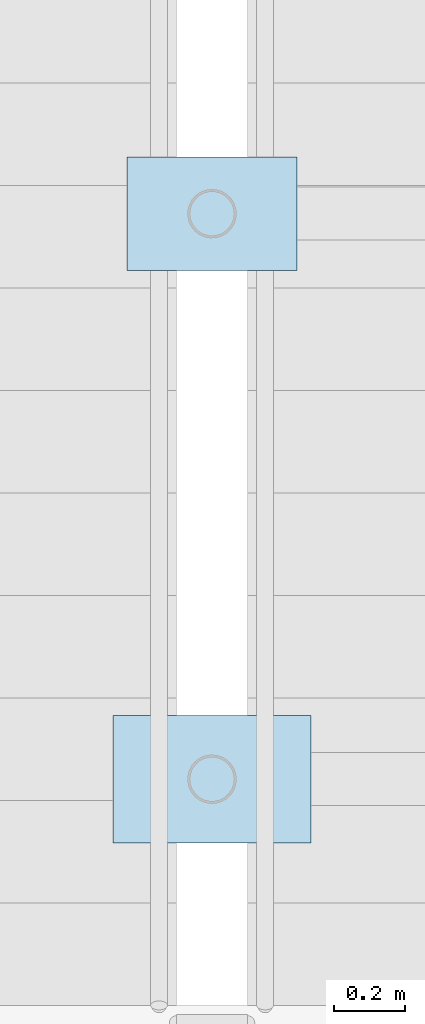
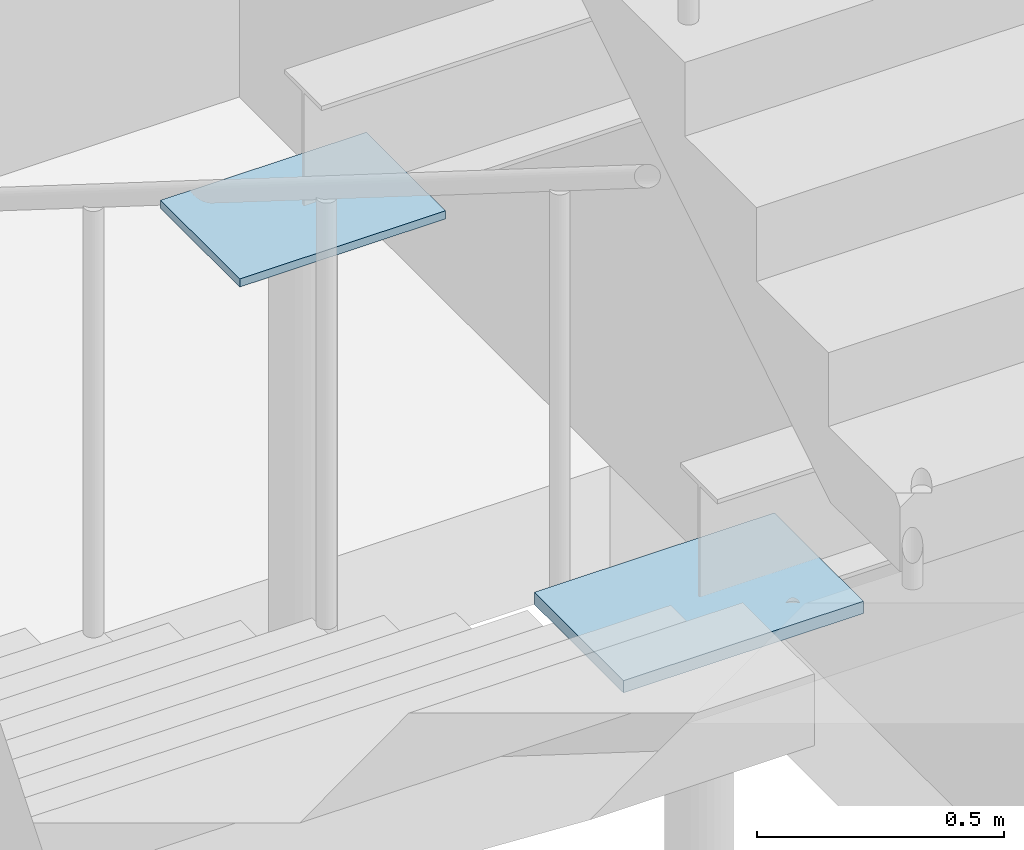
# One storey, part 81 of 106: 2 plates.
"""IFC4 building model written with IfcOpenShell, lengths in metres."""

from ifc_helpers import new_model, si_unit, direction, frame, origin, origin_2d, place, context, subcontext, project, spatial, rectangle, extrude, material, layer, layer_set, type_object, element, save


model = new_model("IFC4")

# Units and contexts
model_context = context("Model", 3, precision=1e-05, world=origin(), true_north=direction((0.0, 1.0)))
body_context = subcontext(model_context, "Body", "Model", "MODEL_VIEW")
ifc_project = project(units=[si_unit("LENGTHUNIT", "METRE"), si_unit("AREAUNIT", "SQUARE_METRE"), si_unit("VOLUMEUNIT", "CUBIC_METRE"), si_unit("PLANEANGLEUNIT", "RADIAN"), si_unit("MASSUNIT", "GRAM", prefix="KILO")], contexts=[model_context])

# Site, building, storey
site_placement = place(None, origin())
site = spatial("IfcSite", under=ifc_project, at=site_placement, CompositionType="ELEMENT")
building_placement = place(site_placement, origin())
building = spatial("IfcBuilding", under=site, at=building_placement, Name="Krzemoval Escarpment Law Courts", CompositionType="ELEMENT")
storey_placement = place(building_placement, frame((0.0, 0.0, 5.10009765625)))
storey = spatial("IfcBuildingStorey", under=building, at=storey_placement, Name="L01", CompositionType="ELEMENT", Elevation=5.10009765625)

# Plates
ifc_material_1 = material(Name="Steel S355", Category="steel")
ifc_layer_1 = layer(ifc_material_1, 0.02001953125)
ifc_layer_set_1 = layer_set([ifc_layer_1], Name="Steel S355")
plate_type_1 = type_object("IfcPlateType", Name="PLT-GUS-20", PredefinedType="USERDEFINED", material=ifc_layer_set_1)
plate_1_placement = place(storey_placement, frame((111.89990234375, 27.820068359375, 2.10986328125), z_axis=(0.0, 0.0, 1.0), x_axis=(1.0, 0.0, 0.0)))
element("IfcPlate", 1, at=plate_1_placement, inside=storey, type_object=plate_type_1, Name="Gusset and End-Cap Plate ECP-0389", ObjectType="GUSSET_PLATE", PredefinedType="USERDEFINED", context=body_context, shape_type="SweptSolid", body=[
    extrude(rectangle(XDim=0.47998046875, YDim=0.320068359375, at=origin_2d()), origin(), (0.0, 0.0, 1.0), 0.02001953125),
])
ifc_material_2 = material(Name="Steel S355", Category="steel")
ifc_layer_2 = layer(ifc_material_2, 0.030029296875)
ifc_layer_set_2 = layer_set([ifc_layer_2], Name="Steel S355")
plate_type_2 = type_object("IfcPlateType", Name="PLT-GUS-30", PredefinedType="USERDEFINED", material=ifc_layer_set_2)
plate_2_placement = place(storey_placement, frame((111.89990234375, 26.219970703125, 2.10498046875), z_axis=(0.0, 0.0, 1.0), x_axis=(1.0, 0.0, 0.0)))
element("IfcPlate", 2, at=plate_2_placement, inside=storey, type_object=plate_type_2, Name="Gusset and End-Cap Plate ECP-0388", ObjectType="GUSSET_PLATE", PredefinedType="USERDEFINED", context=body_context, shape_type="SweptSolid", body=[
    extrude(rectangle(XDim=0.56005859375, YDim=0.360107421875, at=origin_2d()), origin(), (0.0, 0.0, 1.0), 0.030029296875),
])

save(model, "model.ifc")
